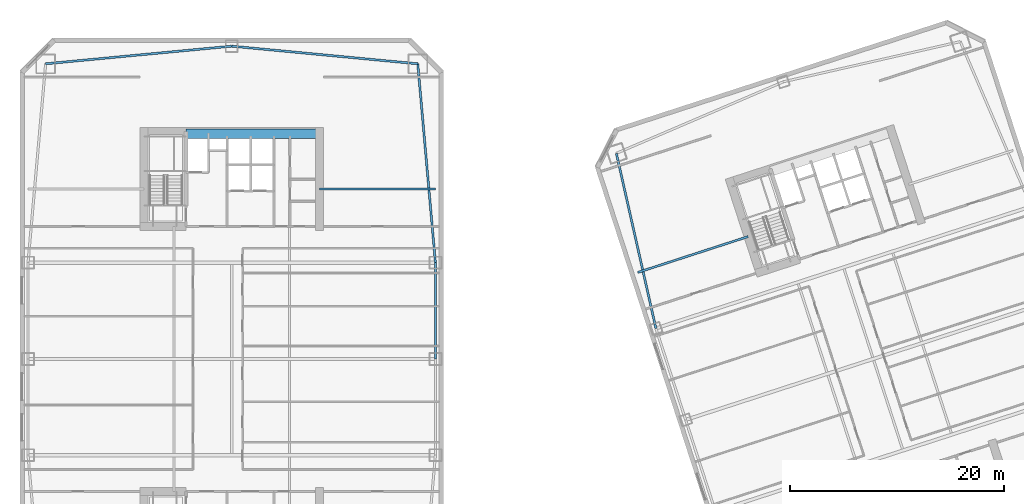
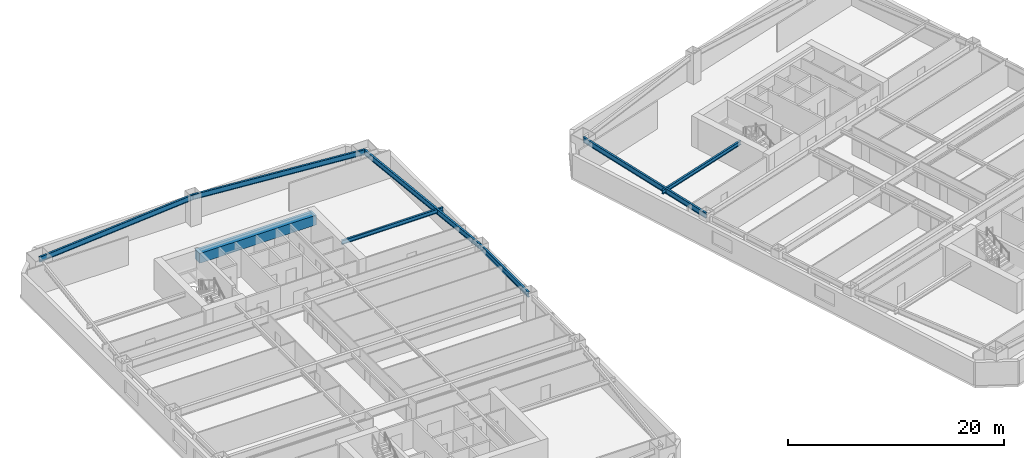
# One storey, part 5 of 19: 8 beams.
"""IFC4 building model written with IfcOpenShell, lengths in metres."""

from ifc_helpers import new_model, si_unit, direction, frame, origin, origin_2d, place, context, subcontext, project, spatial, rectangle, i_section, extrude, material, material_profile, profile_set, type_object, element, save


model = new_model("IFC4")

# Units and contexts
model_context = context("Model", 3, precision=1e-05, world=origin(), true_north=direction((0.0, 1.0)))
body_context = subcontext(model_context, "Body", "Model", "MODEL_VIEW")
ifc_project = project(units=[si_unit("LENGTHUNIT", "METRE"), si_unit("AREAUNIT", "SQUARE_METRE"), si_unit("VOLUMEUNIT", "CUBIC_METRE"), si_unit("PLANEANGLEUNIT", "RADIAN"), si_unit("MASSUNIT", "GRAM", prefix="KILO")], contexts=[model_context])

# Site, building, storey
site_placement = place(None, origin())
site = spatial("IfcSite", under=ifc_project, at=site_placement, CompositionType="ELEMENT")
building_placement = place(site_placement, origin())
building = spatial("IfcBuilding", under=site, at=building_placement, Name="Qiaolan Cultural Towers", CompositionType="ELEMENT")
storey_placement = place(building_placement, frame((0.0, 0.0, 54.050048828125)))
storey = spatial("IfcBuildingStorey", under=building, at=storey_placement, Name="L12", CompositionType="ELEMENT", Elevation=54.050048828125)

# Beams
ifc_material_1 = material(Name="Steel Q355B", Category="steel")
ifc_material_profile_1 = material_profile(ifc_material_1, i_section(OverallWidth=0.199951171875, OverallDepth=0.449951171875, WebThickness=0.009033203125, FlangeThickness=0.013916015625, at=origin_2d()), Name="HN450x200x9x14")
ifc_profile_set_1 = profile_set([ifc_material_profile_1], Name="Steel Q355B")
beam_type_1 = type_object("IfcBeamType", Name="BM-LNT-HN450x200x9x14", PredefinedType="LINTEL", material=ifc_profile_set_1)
for number, where, z_axis, x_axis, name in (
    (1, (38.199951171875, 49.89990234375, 2.96484375), (1.0, 0.0, 0.0), (0.0, 1.0, 0.0), "L12 T1 Core Flank Tie Lintel EN"),
    (2, (78.291259765625, 45.44189453125, 2.96484375), (-0.951052421511, -0.309029596542, 0.0), (0.309029596542, -0.951052421511, 0.0), "L12 T2 Core Flank Tie Lintel WN"),
):
    element("IfcBeam", number, at=place(storey_placement, frame(where, z_axis=z_axis, x_axis=x_axis)), inside=storey, type_object=beam_type_1, Name=name, PredefinedType="LINTEL", context=body_context, shape_type="SweptSolid", body=[
        extrude(i_section(OverallWidth=0.199951171875, OverallDepth=0.449951171875, WebThickness=0.009033203125, FlangeThickness=0.013916015625, at=origin_2d()), origin(), (0.0, 0.0, 1.0), 10.85009765625),
    ])
ifc_material_2 = material(Name="Concrete C50", Category="concrete")
ifc_material_profile_2 = material_profile(ifc_material_2, rectangle(XDim=0.89990234375, YDim=1.10009765625, at=origin_2d()), Name="RC900x1100")
ifc_profile_set_2 = profile_set([ifc_material_profile_2], Name="Concrete C50")
beam_type_2 = type_object("IfcBeamType", Name="BM-RC900x1100", PredefinedType="BEAM", material=ifc_profile_set_2)
beam_1_placement = place(storey_placement, frame((25.719970703125, 55.050048828125, 2.639892578125), z_axis=(1.0, 0.0, 0.0), x_axis=(0.0, 1.0, 0.0)))
element("IfcBeam", 3, at=beam_1_placement, inside=storey, type_object=beam_type_2, Name="L12 T1 Core Header Girder N", PredefinedType="BEAM", context=body_context, shape_type="SweptSolid", body=[
    extrude(rectangle(XDim=0.89990234375, YDim=1.10009765625, at=origin_2d()), origin(), (0.0, 0.0, 1.0), 12.47998046875),
])
ifc_material_3 = material(Name="Steel Q355B", Category="steel")
ifc_material_profile_3 = material_profile(ifc_material_3, i_section(OverallWidth=0.199951171875, OverallDepth=0.60009765625, WebThickness=0.010986328125, FlangeThickness=0.01708984375, at=origin_2d()), Name="HN600x200x11x17")
ifc_profile_set_3 = profile_set([ifc_material_profile_3], Name="Steel Q355B")
beam_type_3 = type_object("IfcBeamType", Name="BM-SPD-HN600x200x11x17", PredefinedType="SPANDREL", material=ifc_profile_set_3)
beam_2_placement = place(storey_placement, frame((49.050048828125, 34.0, 2.889892578125), z_axis=(0.0, 1.0, 0.0), x_axis=(-1.0, 0.0, 0.0)))
element("IfcBeam", 4, at=beam_2_placement, inside=storey, type_object=beam_type_3, Name="L12 T1 Perimeter Spandrel Beam 5", PredefinedType="SPANDREL", context=body_context, shape_type="SweptSolid", body=[
    extrude(i_section(OverallWidth=0.199951171875, OverallDepth=0.60009765625, WebThickness=0.010986328125, FlangeThickness=0.01708984375, at=origin_2d()), origin(), (0.0, 0.0, 1.0), 9.0),
])
beam_3_placement = place(storey_placement, frame((49.050048828125, 43.0, 2.889892578125), z_axis=(-0.08837000091, 0.996087718496, 0.0), x_axis=(-0.996087718496, -0.08837000091, 0.0)))
element("IfcBeam", 5, at=beam_3_placement, inside=storey, type_object=beam_type_3, Name="L12 T1 Perimeter Spandrel Beam 6", PredefinedType="SPANDREL", context=body_context, shape_type="SweptSolid", body=[
    extrude(i_section(OverallWidth=0.199951171875, OverallDepth=0.60009765625, WebThickness=0.010986328125, FlangeThickness=0.01708984375, at=origin_2d()), origin(), (0.0, 0.0, 1.0), 18.673095703125),
])
for number, where, z_axis, x_axis, name in (
    (6, (47.39990234375, 61.60009765625, 2.889892578125), (-0.995534437156, 0.094399070104, 0.0), (-0.094399070104, -0.995534437156, 0.0), "L12 T1 Perimeter Spandrel Beam 7"),
    (7, (30.0, 63.25, 2.889892578125), (-0.995534437156, -0.094399070104, 0.0), (0.094399070104, -0.995534437156, 0.0), "L12 T1 Perimeter Spandrel Beam 8"),
):
    element("IfcBeam", number, at=place(storey_placement, frame(where, z_axis=z_axis, x_axis=x_axis)), inside=storey, type_object=beam_type_3, Name=name, PredefinedType="SPANDREL", context=body_context, shape_type="SweptSolid", body=[
        extrude(i_section(OverallWidth=0.199951171875, OverallDepth=0.60009765625, WebThickness=0.010986328125, FlangeThickness=0.01708984375, at=origin_2d()), origin(), (0.0, 0.0, 1.0), 17.47802734375),
    ])
beam_4_placement = place(storey_placement, frame((65.972900390625, 53.22607421875, 2.889892578125), z_axis=(0.220430557386, -0.975402670373, 0.0), x_axis=(0.975402670373, 0.220430557386, 0.0)))
element("IfcBeam", 8, at=beam_4_placement, inside=storey, type_object=beam_type_3, Name="L12 T2 Perimeter Spandrel Beam 9", PredefinedType="SPANDREL", context=body_context, shape_type="SweptSolid", body=[
    extrude(i_section(OverallWidth=0.199951171875, OverallDepth=0.60009765625, WebThickness=0.010986328125, FlangeThickness=0.01708984375, at=origin_2d()), origin(), (0.0, 0.0, 1.0), 16.78076171875),
])

save(model, "model.ifc")
